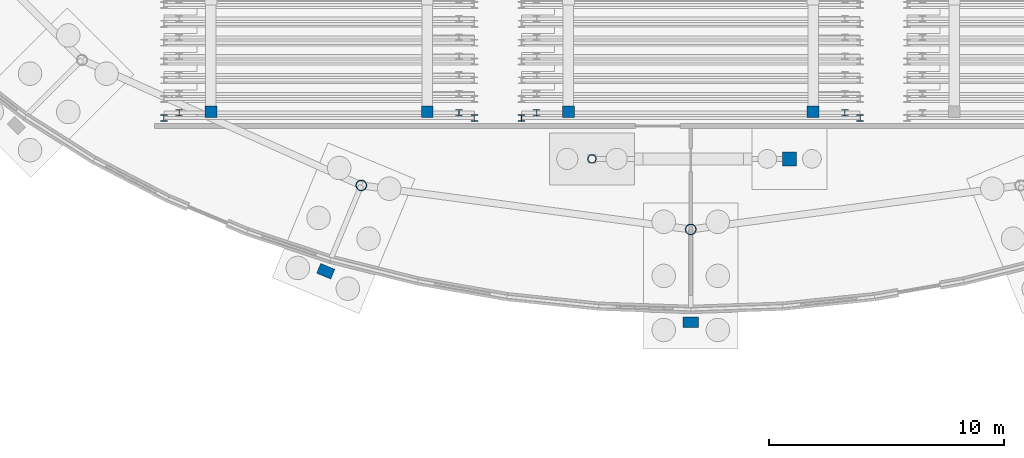
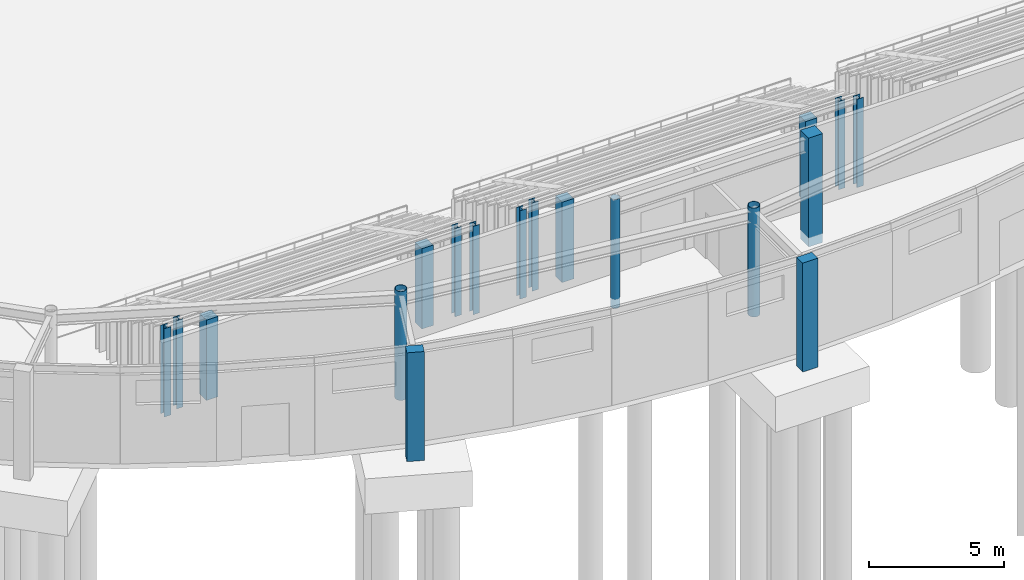
# One storey, part 10 of 93: 18 columns.
"""IFC4 building model written with IfcOpenShell, lengths in metres."""

from ifc_helpers import new_model, si_unit, derived_unit, direction, frame, origin, origin_2d, place, context, subcontext, project, spatial, rectangle, hollow_circle, i_section, extrude, material, material_profile, profile_set, type_object, element, save


model = new_model("IFC4")

# Units and contexts
model_context = context("Model", 3, precision=1e-05, world=origin(), true_north=direction((0.0, 1.0)))
body_context = subcontext(model_context, "Body", "Model", "MODEL_VIEW")
ifc_project = project(units=[si_unit("LENGTHUNIT", "METRE"), si_unit("AREAUNIT", "SQUARE_METRE"), si_unit("VOLUMEUNIT", "CUBIC_METRE"), si_unit("PLANEANGLEUNIT", "RADIAN"), si_unit("MASSUNIT", "GRAM", prefix="KILO"), derived_unit("THERMALTRANSMITTANCEUNIT", [(si_unit("MASSUNIT", "GRAM", prefix="KILO"), 1), (si_unit("TIMEUNIT", "SECOND"), -3), (si_unit("THERMODYNAMICTEMPERATUREUNIT", "KELVIN"), -1)])], contexts=[model_context])

# Site, building, storey
site_placement = place(None, origin())
site = spatial("IfcSite", under=ifc_project, at=site_placement, CompositionType="ELEMENT")
building_placement = place(site_placement, origin())
building = spatial("IfcBuilding", under=site, at=building_placement, Name="Kharveza Railside Sports Centre", CompositionType="ELEMENT")
storey_placement = place(building_placement, origin())
storey = spatial("IfcBuildingStorey", under=building, at=storey_placement, Name="L00", CompositionType="ELEMENT", Elevation=0.0)

# Columns
ifc_material_1 = material(Name="Concrete C35/45", Category="concrete")
ifc_material_profile_1 = material_profile(ifc_material_1, rectangle(XDim=0.60009765625, YDim=0.60009765625, at=origin_2d()), Name="RC 600x600")
ifc_profile_set_1 = profile_set([ifc_material_profile_1], Name="Concrete C35/45")
column_type_1 = type_object("IfcColumnType", Name="COL-RC02", PredefinedType="COLUMN", material=ifc_profile_set_1)
column_1_placement = place(storey_placement, frame((58.800048828125, 28.800048828125, -0.419921875), z_axis=(0.0, 0.0, 1.0), x_axis=(1.0, 0.0, 0.0)))
element("IfcColumn", 1, at=column_1_placement, inside=storey, type_object=column_type_1, Name="COL-BOWL-03-L00", PredefinedType="COLUMN", context=body_context, shape_type="SweptSolid", body=[
    extrude(rectangle(XDim=0.60009765625, YDim=0.60009765625, at=origin_2d()), origin(), (0.0, 0.0, 1.0), 4.919921875),
])
ifc_material_profile_2 = material_profile(ifc_material_1, rectangle(XDim=0.5, YDim=0.5, at=origin_2d()), Name="RC 500x500")
ifc_profile_set_2 = profile_set([ifc_material_profile_2], Name="Concrete C35/45")
column_type_2 = type_object("IfcColumnType", Name="COL-RC03", PredefinedType="COLUMN", material=ifc_profile_set_2)
for number, where, z_axis, x_axis, name in (
    (2, (34.199951171875, 30.800048828125, 0.0), (0.0, 0.0, 1.0), (1.0, 0.0, 0.0), "COL-RAK-SR-01"),
    (3, (43.39990234375, 30.800048828125, 0.0), (0.0, 0.0, 1.0), (1.0, 0.0, 0.0), "COL-RAK-SR-02"),
    (4, (49.39990234375, 30.800048828125, 0.0), (0.0, 0.0, 1.0), (1.0, 0.0, 0.0), "COL-RAK-SR-03"),
    (5, (59.800048828125, 30.800048828125, 0.0), (0.0, 0.0, 1.0), (1.0, 0.0, 0.0), "COL-RAK-SR-04"),
):
    element("IfcColumn", number, at=place(storey_placement, frame(where, z_axis=z_axis, x_axis=x_axis)), inside=storey, type_object=column_type_2, Name=name, PredefinedType="COLUMN", context=body_context, shape_type="SweptSolid", body=[
        extrude(rectangle(XDim=0.5, YDim=0.5, at=origin_2d()), origin(), (0.0, 0.0, 1.0), 3.6298828125),
    ])
ifc_material_profile_3 = material_profile(ifc_material_1, rectangle(XDim=0.449951171875, YDim=0.64990234375, at=origin_2d()), Name="RC 450x650")
ifc_profile_set_3 = profile_set([ifc_material_profile_3], Name="Concrete C35/45")
column_type_3 = type_object("IfcColumnType", Name="COL-RC04", PredefinedType="PILASTER", material=ifc_profile_set_3)
for number, where, z_axis, x_axis, name in (
    (6, (39.082275390625, 24.023193359375, -0.419921875), (0.0, 0.0, 1.0), (-0.382683432365, -0.923879532511, 0.0), "COL-BUTT-12-L00"),
    (7, (54.60009765625, 21.85009765625, -0.419921875), (0.0, 0.0, 1.0), (0.0, -1.0, 0.0), "COL-BUTT-13-L00"),
):
    element("IfcColumn", number, at=place(storey_placement, frame(where, z_axis=z_axis, x_axis=x_axis)), inside=storey, type_object=column_type_3, Name=name, PredefinedType="PILASTER", context=body_context, shape_type="SweptSolid", body=[
        extrude(rectangle(XDim=0.449951171875, YDim=0.64990234375, at=origin_2d()), origin(), (0.0, 0.0, 1.0), 4.919921875),
    ])
ifc_material_2 = material(Name="Steel S355J2", Category="steel")
ifc_material_profile_4 = material_profile(ifc_material_2, i_section(OverallWidth=0.280029296875, OverallDepth=0.27001953125, WebThickness=0.008056640625, FlangeThickness=0.012939453125, FilletRadius=0.02392578125, at=origin_2d()), Name="HEA 280")
ifc_profile_set_4 = profile_set([ifc_material_profile_4], Name="Steel S355J2")
column_type_4 = type_object("IfcColumnType", Name="COL-S13", PredefinedType="COLUMN", material=ifc_profile_set_4)
for number, where, z_axis, x_axis, name in (
    (8, (32.199951171875, 30.5400390625, 0.0), (0.0, 0.0, 1.0), (1.0, 0.0, 0.0), "COL-TPST-S01-S1-11"),
    (9, (45.39990234375, 30.5400390625, 0.0), (0.0, 0.0, 1.0), (1.0, 0.0, 0.0), "COL-TPST-S01-S1-12"),
    (10, (32.85009765625, 30.760009765625, 0.0), (0.0, 0.0, 1.0), (1.0, 0.0, 0.0), "COL-TPST-S01-S1-21"),
    (11, (44.75, 30.760009765625, 0.0), (0.0, 0.0, 1.0), (1.0, 0.0, 0.0), "COL-TPST-S01-S1-22"),
    (12, (47.39990234375, 30.5400390625, 0.0), (0.0, 0.0, 1.0), (1.0, 0.0, 0.0), "COL-TPST-S01-S2-11"),
    (13, (61.800048828125, 30.5400390625, 0.0), (0.0, 0.0, 1.0), (1.0, 0.0, 0.0), "COL-TPST-S01-S2-12"),
    (14, (48.050048828125, 30.760009765625, 0.0), (0.0, 0.0, 1.0), (1.0, 0.0, 0.0), "COL-TPST-S01-S2-21"),
    (15, (61.14990234375, 30.760009765625, 0.0), (0.0, 0.0, 1.0), (1.0, 0.0, 0.0), "COL-TPST-S01-S2-22"),
):
    element("IfcColumn", number, at=place(storey_placement, frame(where, z_axis=z_axis, x_axis=x_axis)), inside=storey, type_object=column_type_4, Name=name, PredefinedType="COLUMN", context=body_context, shape_type="SweptSolid", body=[
        extrude(i_section(OverallWidth=0.280029296875, OverallDepth=0.27001953125, WebThickness=0.008056640625, FlangeThickness=0.012939453125, FilletRadius=0.02392578125, at=origin_2d()), origin(), (0.0, 0.0, 1.0), 3.989990234375),
    ])
ifc_material_profile_5 = material_profile(ifc_material_2, hollow_circle(Radius=0.228515625, WallThickness=0.02001953125, at=origin_2d()), Name="CHS 457.0x20.0")
ifc_profile_set_5 = profile_set([ifc_material_profile_5], Name="Steel S355J2")
column_type_5 = type_object("IfcColumnType", Name="COL-T01", PredefinedType="COLUMN", material=ifc_profile_set_5)
for number, where, z_axis, x_axis, name in (
    (16, (40.59375, 27.672607421875, -0.419921875), (0.0, 0.0, 1.0), (1.0, 0.0, 0.0), "COL-DRUM-12-L00"),
    (17, (54.60009765625, 25.800048828125, -0.419921875), (0.0, 0.0, 1.0), (1.0, 0.0, 0.0), "COL-DRUM-13-L00"),
):
    element("IfcColumn", number, at=place(storey_placement, frame(where, z_axis=z_axis, x_axis=x_axis)), inside=storey, type_object=column_type_5, Name=name, PredefinedType="COLUMN", context=body_context, shape_type="SweptSolid", body=[
        extrude(hollow_circle(Radius=0.228515625, WallThickness=0.02001953125, at=origin_2d()), origin(), (0.0, 0.0, 1.0), 4.919921875),
    ])
ifc_material_profile_6 = material_profile(ifc_material_2, hollow_circle(Radius=0.177734375, WallThickness=0.01611328125, at=origin_2d()), Name="CHS 355.6x16.0")
ifc_profile_set_6 = profile_set([ifc_material_profile_6], Name="Steel S355J2")
column_type_6 = type_object("IfcColumnType", Name="COL-T03", PredefinedType="COLUMN", material=ifc_profile_set_6)
column_2_placement = place(storey_placement, frame((50.39990234375, 28.800048828125, -0.419921875), z_axis=(0.0, 0.0, 1.0), x_axis=(1.0, 0.0, 0.0)))
element("IfcColumn", 18, at=column_2_placement, inside=storey, type_object=column_type_6, Name="COL-BOWL-01-L00", PredefinedType="COLUMN", context=body_context, shape_type="SweptSolid", body=[
    extrude(hollow_circle(Radius=0.177734375, WallThickness=0.01611328125, at=origin_2d()), origin(), (0.0, 0.0, 1.0), 4.919921875),
])

save(model, "model.ifc")
